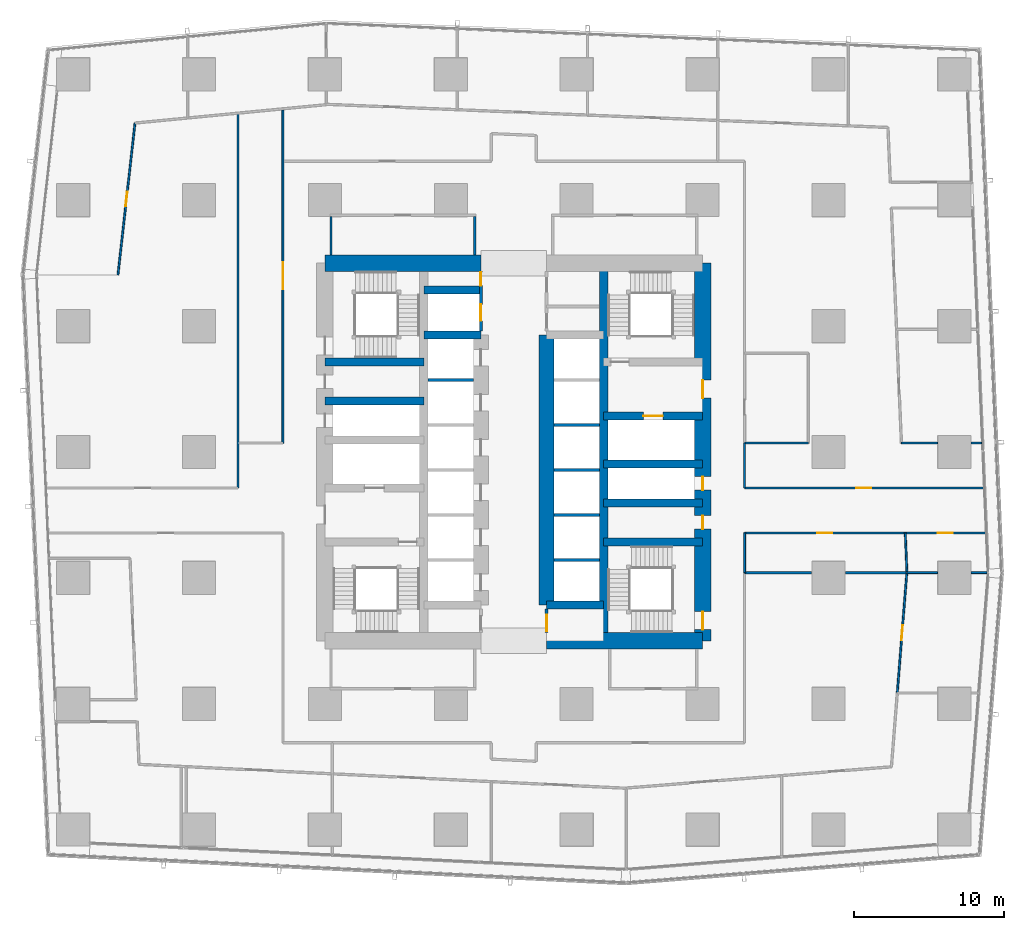
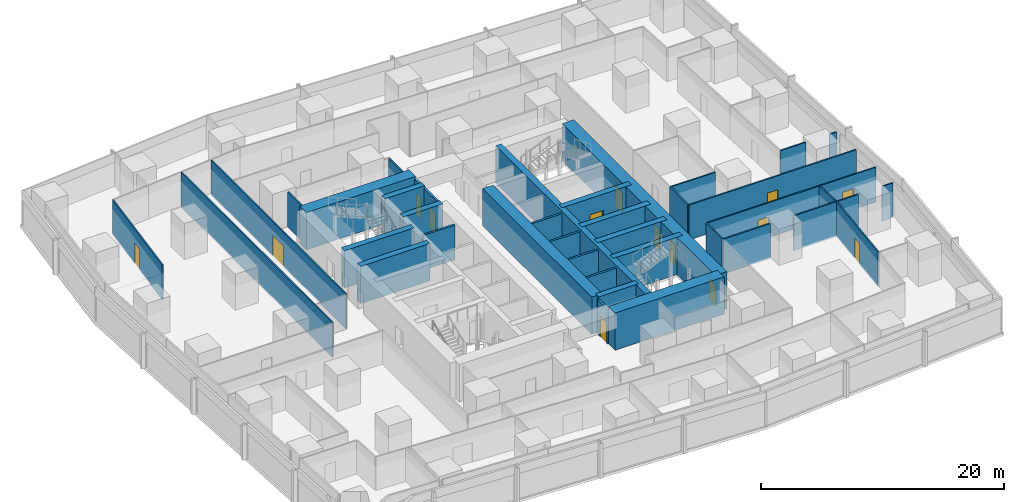
# One storey, part 33 of 44: 40 walls, 14 doors, 14 openings.
"""IFC4 building model written with IfcOpenShell, lengths in metres."""

from ifc_helpers import new_model, si_unit, direction, frame, frame_2d, origin, place, context, subcontext, project, spatial, rectangle, extrude, material, layer, layer_set, type_object, element, fill, save


model = new_model("IFC4")

# Units and contexts
model_context = context("Model", 3, precision=1e-05, world=origin(), true_north=direction((0.0, 1.0)))
body_context = subcontext(model_context, "Body", "Model", "MODEL_VIEW")
ifc_project = project(units=[si_unit("LENGTHUNIT", "METRE"), si_unit("AREAUNIT", "SQUARE_METRE"), si_unit("VOLUMEUNIT", "CUBIC_METRE"), si_unit("PLANEANGLEUNIT", "RADIAN"), si_unit("MASSUNIT", "GRAM", prefix="KILO")], contexts=[model_context])

# Site, building, storey
site_placement = place(None, origin())
site = spatial("IfcSite", under=ifc_project, at=site_placement, CompositionType="ELEMENT")
building_placement = place(site_placement, origin())
building = spatial("IfcBuilding", under=site, at=building_placement, Name="Rekha Terrace Tower", CompositionType="ELEMENT")
storey_placement = place(building_placement, frame((0.0, 0.0, 74.14990234375)))
storey = spatial("IfcBuildingStorey", under=building, at=storey_placement, Name="L18", CompositionType="ELEMENT", Elevation=74.14990234375)

# Walls
ifc_material_1 = material(Name="Concrete M70", Category="concrete")
ifc_layer_1 = layer(ifc_material_1, 0.550048828125)
ifc_layer_set_1 = layer_set([ifc_layer_1], Name="Concrete M70")
wall_type_1 = type_object("IfcWallType", Name="CI1 550 core internal shear wall", PredefinedType="SHEAR", material=ifc_layer_set_1)
wall_1_placement = place(storey_placement, frame((43.800048828125, 21.0, 0.0), z_axis=(0.0, 0.0, 1.0), x_axis=(0.0, 1.0, 0.0)))
element("IfcWall", 1, at=wall_1_placement, inside=storey, type_object=wall_type_1, Name="Core wall X438 L18", PredefinedType="SHEAR", context=body_context, shape_type="SweptSolid", body=[
    extrude(rectangle(XDim=25.199951171875, YDim=0.550048828125, at=frame_2d((12.60009765625, 0.0))), origin(), (0.0, 0.0, 1.0), 3.75),
])
for number, where, z_axis, x_axis, name in (
    (2, (31.800048828125, 41.39990234375, 0.0), (0.0, 0.0, 1.0), (1.0, 0.0, 0.0), "Core wall Y414W L18"),
    (3, (31.800048828125, 44.39990234375, 0.0), (0.0, 0.0, 1.0), (1.0, 0.0, 0.0), "Core wall Y444W L18"),
    (4, (40.0, 23.39990234375, 0.0), (0.0, 0.0, 1.0), (1.0, 0.0, 0.0), "Core wall Y234E L18"),
):
    element("IfcWall", number, at=place(storey_placement, frame(where, z_axis=z_axis, x_axis=x_axis)), inside=storey, type_object=wall_type_1, Name=name, PredefinedType="SHEAR", context=body_context, shape_type="SweptSolid", body=[
        extrude(rectangle(XDim=3.800048828125, YDim=0.550048828125, at=frame_2d((1.89990234375, 0.0))), origin(), (0.0, 0.0, 1.0), 3.75),
    ])
for number, where, z_axis, x_axis, name in (
    (5, (25.199951171875, 37.0, 0.0), (0.0, 0.0, 1.0), (1.0, 0.0, 0.0), "Core wall Y370W L18"),
    (6, (25.199951171875, 39.60009765625, 0.0), (0.0, 0.0, 1.0), (1.0, 0.0, 0.0), "Core wall Y396W L18"),
):
    element("IfcWall", number, at=place(storey_placement, frame(where, z_axis=z_axis, x_axis=x_axis)), inside=storey, type_object=wall_type_1, Name=name, PredefinedType="SHEAR", context=body_context, shape_type="SweptSolid", body=[
        extrude(rectangle(XDim=6.60009765625, YDim=0.550048828125, at=frame_2d((3.300048828125, 0.0))), origin(), (0.0, 0.0, 1.0), 3.75),
    ])
for number, where, z_axis, x_axis, name in (
    (7, (43.800048828125, 27.60009765625, 0.0), (0.0, 0.0, 1.0), (1.0, 0.0, 0.0), "Core wall Y276E L18"),
    (8, (43.800048828125, 30.199951171875, 0.0), (0.0, 0.0, 1.0), (1.0, 0.0, 0.0), "Core wall Y302E L18"),
    (9, (43.800048828125, 32.800048828125, 0.0), (0.0, 0.0, 1.0), (1.0, 0.0, 0.0), "Core wall Y328E L18"),
):
    element("IfcWall", number, at=place(storey_placement, frame(where, z_axis=z_axis, x_axis=x_axis)), inside=storey, type_object=wall_type_1, Name=name, PredefinedType="SHEAR", context=body_context, shape_type="SweptSolid", body=[
        extrude(rectangle(XDim=6.599853515625, YDim=0.550048828125, at=frame_2d((3.2998046875, 0.0))), origin(), (0.0, 0.0, 1.0), 3.75),
    ])

# Wall, opening, door
wall_2_placement = place(storey_placement, frame((43.800048828125, 36.0, 0.0), z_axis=(0.0, 0.0, 1.0), x_axis=(1.0, 0.0, 0.0)))
wall_2 = element("IfcWall", 10, at=wall_2_placement, inside=storey, type_object=wall_type_1, Name="Core wall Y360E L18", PredefinedType="SHEAR", context=body_context, shape_type="SweptSolid", body=[
    extrude(rectangle(XDim=6.599853515625, YDim=0.550048828125, at=frame_2d((3.2998046875, 0.0))), origin(), (0.0, 0.0, 1.0), 3.75),
])
opening_1_placement = place(wall_2_placement, frame((2.64990234375, 0.0, 0.0)))
opening_1 = element("IfcOpeningElement", 11, at=opening_1_placement, cuts=wall_2, Name="Opening LD2", PredefinedType="OPENING", context=body_context, shape_type="SweptSolid", body=[
    extrude(rectangle(XDim=1.300048828125, YDim=2.10009765625, at=frame_2d((0.64990234375, 1.050048828125))), frame((0.0, 0.284912109375, 0.0), z_axis=(0.0, -1.0, 0.0), x_axis=(1.0, 0.0, 0.0)), (0.0, 0.0, 1.0), 0.570068359375),
])
ifc_material_2 = material(Name="Stainless steel sliding landing door", Category="steel")
door_type_1 = type_object("IfcDoorType", Name="LD2 1300x2100 fire lift landing door", OperationType="SLIDING_TO_LEFT", PredefinedType="USERDEFINED", material=ifc_material_2)
door_1_placement = place(opening_1_placement, origin())
door_1 = element("IfcDoor", 12, at=door_1_placement, inside=storey, type_object=door_type_1, Name="Lift FL2 landing door L18", ObjectType="LIFT LANDING DOOR", OperationType="SLIDING_TO_LEFT", OverallHeight=2.10009765625, OverallWidth=1.300048828125, PredefinedType="USERDEFINED", context=body_context, shape_type="SweptSolid", body=[
    extrude(rectangle(XDim=1.300048828125, YDim=2.10009765625, at=frame_2d((0.64990234375, 1.050048828125))), frame((0.0, 0.02490234375, 0.0), z_axis=(0.0, -1.0, 0.0), x_axis=(1.0, 0.0, 0.0)), (0.0, 0.0, 1.0), 0.050048828125),
])
fill(opening_1, door_1)

# Walls
ifc_layer_2 = layer(ifc_material_1, 1.0)
ifc_layer_set_2 = layer_set([ifc_layer_2], Name="Concrete M70")
wall_type_2 = type_object("IfcWallType", Name="LW1 1000 core lobby wall at an outrigger level", PredefinedType="SHEAR", material=ifc_layer_set_2)
wall_3_placement = place(storey_placement, frame((40.0, 23.39990234375, 0.0), z_axis=(0.0, 0.0, 1.0), x_axis=(0.0, 1.0, 0.0)))
element("IfcWall", 13, at=wall_3_placement, inside=storey, type_object=wall_type_2, Name="Core wall X400 L18", PredefinedType="SHEAR", context=body_context, shape_type="SweptSolid", body=[
    extrude(rectangle(XDim=18.0, YDim=1.0, at=frame_2d((9.0, 0.0))), origin(), (0.0, 0.0, 1.0), 3.75),
])
ifc_layer_3 = layer(ifc_material_1, 1.10009765625)
ifc_layer_set_3 = layer_set([ifc_layer_3], Name="Concrete M70")
wall_type_3 = type_object("IfcWallType", Name="SW1 1100 core outer shear wall", PredefinedType="SHEAR", material=ifc_layer_set_3)
wall_4_placement = place(storey_placement, frame((40.0, 21.0, 0.0), z_axis=(0.0, 0.0, 1.0), x_axis=(1.0, 0.0, 0.0)))
element("IfcWall", 14, at=wall_4_placement, inside=storey, type_object=wall_type_3, Name="Core wall S2 L18", PredefinedType="SHEAR", context=body_context, shape_type="SweptSolid", body=[
    extrude(rectangle(XDim=10.39990234375, YDim=1.10009765625, at=frame_2d((5.199951171875, 0.0))), origin(), (0.0, 0.0, 1.0), 3.75),
])
wall_5_placement = place(storey_placement, frame((25.199951171875, 46.199951171875, 0.0), z_axis=(0.0, 0.0, 1.0), x_axis=(1.0, 0.0, 0.0)))
element("IfcWall", 15, at=wall_5_placement, inside=storey, type_object=wall_type_3, Name="Core wall N1 L18", PredefinedType="SHEAR", context=body_context, shape_type="SweptSolid", body=[
    extrude(rectangle(XDim=10.400146484375, YDim=1.10009765625, at=frame_2d((5.2001953125, 0.0))), origin(), (0.0, 0.0, 1.0), 3.75),
])

# Wall, openings, doors
wall_6_placement = place(storey_placement, frame((50.39990234375, 21.0, 0.0), z_axis=(0.0, 0.0, 1.0), x_axis=(0.0, 1.0, 0.0)))
wall_6 = element("IfcWall", 16, at=wall_6_placement, inside=storey, type_object=wall_type_3, Name="Core wall E L18", PredefinedType="SHEAR", context=body_context, shape_type="SweptSolid", body=[
    extrude(rectangle(XDim=25.199951171875, YDim=1.10009765625, at=frame_2d((12.60009765625, 0.0))), origin(), (0.0, 0.0, 1.0), 3.75),
])
opening_2_placement = place(wall_6_placement, frame((16.199951171875, 0.0, 0.0)))
opening_2 = element("IfcOpeningElement", 17, at=opening_2_placement, cuts=wall_6, Name="Opening D2", PredefinedType="OPENING", context=body_context, shape_type="SweptSolid", body=[
    extrude(rectangle(XDim=1.199951171875, YDim=2.10009765625, at=frame_2d((0.60009765625, 1.050048828125))), frame((0.0, 0.56005859375, 0.0), z_axis=(0.0, -1.0, 0.0), x_axis=(1.0, 0.0, 0.0)), (0.0, 0.0, 1.0), 1.1201171875),
])
opening_3_placement = place(wall_6_placement, frame((10.050048828125, 0.0, 0.0)))
opening_3 = element("IfcOpeningElement", 18, at=opening_3_placement, cuts=wall_6, Name="Opening D5", PredefinedType="OPENING", context=body_context, shape_type="SweptSolid", body=[
    extrude(rectangle(XDim=0.89990234375, YDim=2.10009765625, at=frame_2d((0.449951171875, 1.050048828125))), frame((0.0, 0.56005859375, 0.0), z_axis=(0.0, -1.0, 0.0), x_axis=(1.0, 0.0, 0.0)), (0.0, 0.0, 1.0), 1.1201171875),
])
opening_4_placement = place(wall_6_placement, frame((7.449951171875, 0.0, 0.0)))
opening_4 = element("IfcOpeningElement", 19, at=opening_4_placement, cuts=wall_6, Name="Opening D5", PredefinedType="OPENING", context=body_context, shape_type="SweptSolid", body=[
    extrude(rectangle(XDim=0.89990234375, YDim=2.10009765625, at=frame_2d((0.449951171875, 1.050048828125))), frame((0.0, 0.56005859375, 0.0), z_axis=(0.0, -1.0, 0.0), x_axis=(1.0, 0.0, 0.0)), (0.0, 0.0, 1.0), 1.1201171875),
])
opening_5_placement = place(wall_6_placement, frame((0.75, 0.0, 0.0)))
opening_5 = element("IfcOpeningElement", 20, at=opening_5_placement, cuts=wall_6, Name="Opening D1", PredefinedType="OPENING", context=body_context, shape_type="SweptSolid", body=[
    extrude(rectangle(XDim=1.199951171875, YDim=2.10009765625, at=frame_2d((0.60009765625, 1.050048828125))), frame((0.0, 0.56005859375, 0.0), z_axis=(0.0, -1.0, 0.0), x_axis=(1.0, 0.0, 0.0)), (0.0, 0.0, 1.0), 1.1201171875),
])
ifc_material_3 = material(Name="Steel fire door", Category="steel")
door_type_2 = type_object("IfcDoorType", Name="D1 1200x2100 stair fire door", OperationType="SINGLE_SWING_RIGHT", PredefinedType="DOOR", material=ifc_material_3)
door_2_placement = place(opening_5_placement, origin())
door_2 = element("IfcDoor", 21, at=door_2_placement, inside=storey, type_object=door_type_2, Name="Stair ST3 door L18", OperationType="SINGLE_SWING_RIGHT", OverallHeight=2.10009765625, OverallWidth=1.199951171875, PredefinedType="DOOR", context=body_context, shape_type="SweptSolid", body=[
    extrude(rectangle(XDim=1.199951171875, YDim=2.10009765625, at=frame_2d((0.60009765625, 1.050048828125))), frame((0.0, 0.02490234375, 0.0), z_axis=(0.0, -1.0, 0.0), x_axis=(1.0, 0.0, 0.0)), (0.0, 0.0, 1.0), 0.050048828125),
])
fill(opening_5, door_2)
door_type_3 = type_object("IfcDoorType", Name="D2 1200x2100 firefighting lobby door", OperationType="SINGLE_SWING_LEFT", PredefinedType="DOOR", material=ifc_material_3)
door_3_placement = place(opening_2_placement, origin())
door_3 = element("IfcDoor", 22, at=door_3_placement, inside=storey, type_object=door_type_3, Name="Door flb2 L18", OperationType="SINGLE_SWING_LEFT", OverallHeight=2.10009765625, OverallWidth=1.199951171875, PredefinedType="DOOR", context=body_context, shape_type="SweptSolid", body=[
    extrude(rectangle(XDim=1.199951171875, YDim=2.10009765625, at=frame_2d((0.60009765625, 1.050048828125))), frame((0.0, 0.02490234375, 0.0), z_axis=(0.0, -1.0, 0.0), x_axis=(1.0, 0.0, 0.0)), (0.0, 0.0, 1.0), 0.050048828125),
])
fill(opening_2, door_3)
door_type_4 = type_object("IfcDoorType", Name="D5 900x2100 riser access door", OperationType="SINGLE_SWING_LEFT", PredefinedType="DOOR", material=ifc_material_3)
door_4_placement = place(opening_3_placement, origin())
door_4 = element("IfcDoor", 23, at=door_4_placement, inside=storey, type_object=door_type_4, Name="Door rs2 L18", OperationType="SINGLE_SWING_LEFT", OverallHeight=2.10009765625, OverallWidth=0.89990234375, PredefinedType="DOOR", context=body_context, shape_type="SweptSolid", body=[
    extrude(rectangle(XDim=0.89990234375, YDim=2.10009765625, at=frame_2d((0.449951171875, 1.050048828125))), frame((0.0, 0.02490234375, 0.0), z_axis=(0.0, -1.0, 0.0), x_axis=(1.0, 0.0, 0.0)), (0.0, 0.0, 1.0), 0.050048828125),
])
fill(opening_3, door_4)
door_5_placement = place(opening_4_placement, origin())
door_5 = element("IfcDoor", 24, at=door_5_placement, inside=storey, type_object=door_type_4, Name="Door ele L18", OperationType="SINGLE_SWING_LEFT", OverallHeight=2.10009765625, OverallWidth=0.89990234375, PredefinedType="DOOR", context=body_context, shape_type="SweptSolid", body=[
    extrude(rectangle(XDim=0.89990234375, YDim=2.10009765625, at=frame_2d((0.449951171875, 1.050048828125))), frame((0.0, 0.02490234375, 0.0), z_axis=(0.0, -1.0, 0.0), x_axis=(1.0, 0.0, 0.0)), (0.0, 0.0, 1.0), 0.050048828125),
])
fill(opening_4, door_5)

# Walls
ifc_material_4 = material(Name="Concrete block masonry, 1 hour", Category="masonry")
ifc_layer_4 = layer(ifc_material_4, 0.14990234375)
ifc_layer_set_4 = layer_set([ifc_layer_4], Name="Concrete block masonry, 1 hour")
wall_type_4 = type_object("IfcWallType", Name="WP2 150 tenancy partition", PredefinedType="PARTITIONING", material=ifc_layer_set_4)
for number, where, z_axis, x_axis, name in (
    (25, (25.60009765625, 46.75, 0.0), (0.0, 0.0, 1.0), (0.0, 1.0, 0.0), "Women's WC wall L18"),
    (26, (35.199951171875, 46.75, 0.0), (0.0, 0.0, 1.0), (0.0, 1.0, 0.0), "Women's WC wall L18"),
):
    element("IfcWall", number, at=place(storey_placement, frame(where, z_axis=z_axis, x_axis=x_axis)), inside=storey, type_object=wall_type_4, Name=name, PredefinedType="PARTITIONING", context=body_context, shape_type="SweptSolid", body=[
        extrude(rectangle(XDim=2.574951171875, YDim=0.14990234375, at=frame_2d((1.28759765625, 0.0))), origin(), (0.0, 0.0, 1.0), 3.5),
    ])
wall_7_placement = place(storey_placement, frame((53.199951171875, 25.552001953125, 0.0), z_axis=(0.0, 0.0, 1.0), x_axis=(1.0, 0.0, 0.0)))
element("IfcWall", 27, at=wall_7_placement, inside=storey, type_object=wall_type_4, Name="Partition L18-O1", PredefinedType="PARTITIONING", context=body_context, shape_type="SweptSolid", body=[
    extrude(rectangle(XDim=4.47998046875, YDim=0.14990234375, at=frame_2d((2.239990234375, 0.0))), origin(), (0.0, 0.0, 1.0), 3.5),
])
wall_8_placement = place(storey_placement, frame((59.919921875, 25.552001953125, 0.0), z_axis=(0.0, 0.0, 1.0), x_axis=(1.0, 0.0, 0.0)))
element("IfcWall", 28, at=wall_8_placement, inside=storey, type_object=wall_type_4, Name="Partition L18-O1", PredefinedType="PARTITIONING", context=body_context, shape_type="SweptSolid", body=[
    extrude(rectangle(XDim=4.041015625, YDim=0.14990234375, at=frame_2d((2.0205078125, 0.0))), origin(), (0.0, 0.0, 1.0), 3.5),
])

# Wall, opening, door
wall_9_placement = place(storey_placement, frame((69.14501953125, 31.199951171875, 0.0), z_axis=(0.0, 0.0, 1.0), x_axis=(-1.0, 0.0, 0.0)))
wall_9 = element("IfcWall", 29, at=wall_9_placement, inside=storey, type_object=wall_type_4, Name="Partition L18-O2", PredefinedType="PARTITIONING", context=body_context, shape_type="SweptSolid", body=[
    extrude(rectangle(XDim=15.945068359375, YDim=0.14990234375, at=frame_2d((7.97265625, 0.0))), origin(), (0.0, 0.0, 1.0), 3.5),
])
opening_6_placement = place(wall_9_placement, frame((7.487060546875, 0.0, 0.0)))
opening_6 = element("IfcOpeningElement", 30, at=opening_6_placement, cuts=wall_9, Name="Opening D9", PredefinedType="OPENING", context=body_context, shape_type="SweptSolid", body=[
    extrude(rectangle(XDim=1.0, YDim=2.10009765625, at=frame_2d((0.5, 1.050048828125))), frame((0.0, 0.0849609375, 0.0), z_axis=(0.0, -1.0, 0.0), x_axis=(1.0, 0.0, 0.0)), (0.0, 0.0, 1.0), 0.169921875),
])
ifc_material_5 = material(Name="Timber fire door", Category="wood")
door_type_5 = type_object("IfcDoorType", Name="D9 1000x2100 office door", OperationType="SINGLE_SWING_LEFT", PredefinedType="DOOR", material=ifc_material_5)
door_6_placement = place(opening_6_placement, origin())
door_6 = element("IfcDoor", 31, at=door_6_placement, inside=storey, type_object=door_type_5, Name="Door open-plan office L18", OperationType="SINGLE_SWING_LEFT", OverallHeight=2.10009765625, OverallWidth=1.0, PredefinedType="DOOR", context=body_context, shape_type="SweptSolid", body=[
    extrude(rectangle(XDim=1.0, YDim=2.10009765625, at=frame_2d((0.5, 1.050048828125))), frame((0.0, 0.02490234375, 0.0), z_axis=(0.0, -1.0, 0.0), x_axis=(1.0, 0.0, 0.0)), (0.0, 0.0, 1.0), 0.050048828125),
])
fill(opening_6, door_6)

# Wall
wall_10_placement = place(storey_placement, frame((53.199951171875, 31.199951171875, 0.0), z_axis=(0.0, 0.0, 1.0), x_axis=(0.0, 1.0, 0.0)))
element("IfcWall", 32, at=wall_10_placement, inside=storey, type_object=wall_type_4, Name="Partition L18-O2", PredefinedType="PARTITIONING", context=body_context, shape_type="SweptSolid", body=[
    extrude(rectangle(XDim=3.0, YDim=0.14990234375, at=frame_2d((1.5, 0.0))), origin(), (0.0, 0.0, 1.0), 3.5),
])

# Wall, opening, door
ifc_material_6 = material(Name="Two layers of fire-rated gypsum board each side on steel studs, acoustic quilt, 1 hour", Category="steel")
ifc_layer_5 = layer(ifc_material_6, 0.125)
ifc_layer_set_5 = layer_set([ifc_layer_5], Name="Two layers of fire-rated gypsum board each side on steel studs, acoustic quilt, 1 hour")
wall_type_5 = type_object("IfcWallType", Name="WP3 125 office partition", PredefinedType="PARTITIONING", material=ifc_layer_set_5)
wall_11_placement = place(storey_placement, frame((63.386962890625, 17.52392578125, 0.0), z_axis=(0.0, 0.0, 1.0), x_axis=(0.079102910118, 0.996866455254, 0.0)))
wall_11 = element("IfcWall", 33, at=wall_11_placement, inside=storey, type_object=wall_type_5, Name="Partition L18-05", PredefinedType="PARTITIONING", context=body_context, shape_type="SweptSolid", body=[
    extrude(rectangle(XDim=8.05224609375, YDim=0.125, at=frame_2d((4.026123046875, 0.0))), origin(), (0.0, 0.0, 1.0), 3.5),
])
opening_7_placement = place(wall_11_placement, frame((3.52587890625, 0.0, 0.0)))
opening_7 = element("IfcOpeningElement", 34, at=opening_7_placement, cuts=wall_11, Name="Opening D9", PredefinedType="OPENING", context=body_context, shape_type="SweptSolid", body=[
    extrude(rectangle(XDim=1.0, YDim=2.10009765625, at=frame_2d((0.5, 1.050048828125))), frame((0.0, 0.072509765625, 0.0), z_axis=(0.0, -1.0, 0.0), x_axis=(1.0, 0.0, 0.0)), (0.0, 0.0, 1.0), 0.14501953125),
])
door_7_placement = place(opening_7_placement, origin())
door_7 = element("IfcDoor", 35, at=door_7_placement, inside=storey, type_object=door_type_5, Name="Door office L18", OperationType="SINGLE_SWING_LEFT", OverallHeight=2.10009765625, OverallWidth=1.0, PredefinedType="DOOR", context=body_context, shape_type="SweptSolid", body=[
    extrude(rectangle(XDim=1.0, YDim=2.10009765625, at=frame_2d((0.5, 1.050048828125))), frame((0.0, 0.02490234375, 0.0), z_axis=(0.0, -1.0, 0.0), x_axis=(1.0, 0.0, 0.0)), (0.0, 0.0, 1.0), 0.050048828125),
])
fill(opening_7, door_7)

# Walls
wall_12_placement = place(storey_placement, frame((64.02392578125, 25.551025390625, 0.0), z_axis=(0.0, 0.0, 1.0), x_axis=(1.0, 0.0, 0.0)))
element("IfcWall", 36, at=wall_12_placement, inside=storey, type_object=wall_type_5, Name="Partition L18-05", PredefinedType="PARTITIONING", context=body_context, shape_type="SweptSolid", body=[
    extrude(rectangle(XDim=2.05615234375, YDim=0.125, at=frame_2d((1.028076171875, 0.0))), origin(), (0.0, 0.0, 1.0), 3.5),
])
wall_13_placement = place(storey_placement, frame((68.320068359375, 25.551025390625, 0.0), z_axis=(0.0, 0.0, 1.0), x_axis=(1.0, 0.0, 0.0)))
element("IfcWall", 37, at=wall_13_placement, inside=storey, type_object=wall_type_5, Name="Partition L18-05", PredefinedType="PARTITIONING", context=body_context, shape_type="SweptSolid", body=[
    extrude(rectangle(XDim=1.036865234375, YDim=0.125, at=frame_2d((0.5185546875, 0.0))), origin(), (0.0, 0.0, 1.0), 3.5),
])
wall_14_placement = place(storey_placement, frame((69.01708984375, 34.201904296875, 0.0), z_axis=(0.0, 0.0, 1.0), x_axis=(-1.0, 0.0, 0.0)))
element("IfcWall", 38, at=wall_14_placement, inside=storey, type_object=wall_type_5, Name="Partition L18-07", PredefinedType="PARTITIONING", context=body_context, shape_type="SweptSolid", body=[
    extrude(rectangle(XDim=0.697021484375, YDim=0.125, at=frame_2d((0.3486328125, 0.0))), origin(), (0.0, 0.0, 1.0), 3.5),
])
wall_15_placement = place(storey_placement, frame((66.080078125, 34.201904296875, 0.0), z_axis=(0.0, 0.0, 1.0), x_axis=(-1.0, 0.0, 0.0)))
element("IfcWall", 39, at=wall_15_placement, inside=storey, type_object=wall_type_5, Name="Partition L18-07", PredefinedType="PARTITIONING", context=body_context, shape_type="SweptSolid", body=[
    extrude(rectangle(XDim=2.41796875, YDim=0.125, at=frame_2d((1.208984375, 0.0))), origin(), (0.0, 0.0, 1.0), 3.5),
])
wall_16_placement = place(storey_placement, frame((57.449951171875, 34.199951171875, 0.0), z_axis=(0.0, 0.0, 1.0), x_axis=(-1.0, 0.0, 0.0)))
element("IfcWall", 40, at=wall_16_placement, inside=storey, type_object=wall_type_5, Name="Partition L18-11", PredefinedType="PARTITIONING", context=body_context, shape_type="SweptSolid", body=[
    extrude(rectangle(XDim=4.25, YDim=0.125, at=frame_2d((2.125, 0.0))), origin(), (0.0, 0.0, 1.0), 3.5),
])

# Wall, opening, door
wall_17_placement = place(storey_placement, frame((12.531982421875, 55.544921875, 0.0), z_axis=(0.0, 0.0, 1.0), x_axis=(-0.111695467503, -0.99374248301, 0.0)))
wall_17 = element("IfcWall", 41, at=wall_17_placement, inside=storey, type_object=wall_type_5, Name="Partition L18-16", PredefinedType="PARTITIONING", context=body_context, shape_type="SweptSolid", body=[
    extrude(rectangle(XDim=10.196533203125, YDim=0.125, at=frame_2d((5.09814453125, 0.0))), origin(), (0.0, 0.0, 1.0), 3.5),
])
opening_8_placement = place(wall_17_placement, frame((4.597900390625, 0.0, 0.0)))
opening_8 = element("IfcOpeningElement", 42, at=opening_8_placement, cuts=wall_17, Name="Opening D9", PredefinedType="OPENING", context=body_context, shape_type="SweptSolid", body=[
    extrude(rectangle(XDim=1.0, YDim=2.10009765625, at=frame_2d((0.5, 1.050048828125))), frame((0.0, 0.072509765625, 0.0), z_axis=(0.0, -1.0, 0.0), x_axis=(1.0, 0.0, 0.0)), (0.0, 0.0, 1.0), 0.14501953125),
])
door_8_placement = place(opening_8_placement, origin())
door_8 = element("IfcDoor", 43, at=door_8_placement, inside=storey, type_object=door_type_5, Name="Door director's office L18", OperationType="SINGLE_SWING_LEFT", OverallHeight=2.10009765625, OverallWidth=1.0, PredefinedType="DOOR", context=body_context, shape_type="SweptSolid", body=[
    extrude(rectangle(XDim=1.0, YDim=2.10009765625, at=frame_2d((0.5, 1.050048828125))), frame((0.0, 0.02490234375, 0.0), z_axis=(0.0, -1.0, 0.0), x_axis=(1.0, 0.0, 0.0)), (0.0, 0.0, 1.0), 0.050048828125),
])
fill(opening_8, door_8)

# Wall
wall_18_placement = place(storey_placement, frame((19.39990234375, 56.14306640625, 0.0), z_axis=(0.0, 0.0, 1.0), x_axis=(0.0, -1.0, 0.0)))
element("IfcWall", 44, at=wall_18_placement, inside=storey, type_object=wall_type_5, Name="Partition L18-18", PredefinedType="PARTITIONING", context=body_context, shape_type="SweptSolid", body=[
    extrude(rectangle(XDim=24.943115234375, YDim=0.125, at=frame_2d((12.4716796875, 0.0))), origin(), (0.0, 0.0, 1.0), 3.5),
])

# Wall, opening, door
wall_19_placement = place(storey_placement, frame((22.39990234375, 56.430908203125, 0.0), z_axis=(0.0, 0.0, 1.0), x_axis=(0.0, -1.0, 0.0)))
wall_19 = element("IfcWall", 45, at=wall_19_placement, inside=storey, type_object=wall_type_5, Name="Partition L18-19", PredefinedType="PARTITIONING", context=body_context, shape_type="SweptSolid", body=[
    extrude(rectangle(XDim=22.23095703125, YDim=0.125, at=frame_2d((11.115478515625, 0.0))), origin(), (0.0, 0.0, 1.0), 3.5),
])
opening_9_placement = place(wall_19_placement, frame((10.18408203125, 0.0, 0.0)))
opening_9 = element("IfcOpeningElement", 46, at=opening_9_placement, cuts=wall_19, Name="Opening D8", PredefinedType="OPENING", context=body_context, shape_type="SweptSolid", body=[
    extrude(rectangle(XDim=1.800048828125, YDim=2.10009765625, at=frame_2d((0.89990234375, 1.050048828125))), frame((0.0, 0.072509765625, 0.0), z_axis=(0.0, -1.0, 0.0), x_axis=(1.0, 0.0, 0.0)), (0.0, 0.0, 1.0), 0.14501953125),
])
door_type_6 = type_object("IfcDoorType", Name="D8 1800x2100 double leaf door", OperationType="DOUBLE_DOOR_SINGLE_SWING", PredefinedType="DOOR", material=ifc_material_5)
door_9_placement = place(opening_9_placement, origin())
door_9 = element("IfcDoor", 47, at=door_9_placement, inside=storey, type_object=door_type_6, Name="Door breakout lounge L18", OperationType="DOUBLE_DOOR_SINGLE_SWING", OverallHeight=2.10009765625, OverallWidth=1.800048828125, PredefinedType="DOOR", context=body_context, shape_type="SweptSolid", body=[
    extrude(rectangle(XDim=1.800048828125, YDim=2.10009765625, at=frame_2d((0.89990234375, 1.050048828125))), frame((0.0, 0.02490234375, 0.0), z_axis=(0.0, -1.0, 0.0), x_axis=(1.0, 0.0, 0.0)), (0.0, 0.0, 1.0), 0.050048828125),
])
fill(opening_9, door_9)

wall_20_placement = place(storey_placement, frame((63.9189453125, 28.199951171875, 0.0), z_axis=(0.0, 0.0, 1.0), x_axis=(1.0, 0.0, 0.0)))
wall_20 = element("IfcWall", 48, at=wall_20_placement, inside=storey, type_object=wall_type_5, Name="Partition L18-23", PredefinedType="PARTITIONING", context=body_context, shape_type="SweptSolid", body=[
    extrude(rectangle(XDim=5.35498046875, YDim=0.125, at=frame_2d((2.677490234375, 0.0))), origin(), (0.0, 0.0, 1.0), 3.5),
])
opening_10_placement = place(wall_20_placement, frame((2.162109375, 0.0, 0.0)))
opening_10 = element("IfcOpeningElement", 49, at=opening_10_placement, cuts=wall_20, Name="Opening D9", PredefinedType="OPENING", context=body_context, shape_type="SweptSolid", body=[
    extrude(rectangle(XDim=1.0, YDim=2.10009765625, at=frame_2d((0.5, 1.050048828125))), frame((0.0, 0.072509765625, 0.0), z_axis=(0.0, -1.0, 0.0), x_axis=(1.0, 0.0, 0.0)), (0.0, 0.0, 1.0), 0.14501953125),
])
door_10_placement = place(opening_10_placement, origin())
door_10 = element("IfcDoor", 50, at=door_10_placement, inside=storey, type_object=door_type_5, Name="Door meeting room L18", OperationType="SINGLE_SWING_LEFT", OverallHeight=2.10009765625, OverallWidth=1.0, PredefinedType="DOOR", context=body_context, shape_type="SweptSolid", body=[
    extrude(rectangle(XDim=1.0, YDim=2.10009765625, at=frame_2d((0.5, 1.050048828125))), frame((0.0, 0.02490234375, 0.0), z_axis=(0.0, -1.0, 0.0), x_axis=(1.0, 0.0, 0.0)), (0.0, 0.0, 1.0), 0.050048828125),
])
fill(opening_10, door_10)

# Walls
wall_21_placement = place(storey_placement, frame((64.029052734375, 25.613037109375, 0.0), z_axis=(0.0, 0.0, 1.0), x_axis=(-0.042524729329, 0.99909541456, 0.0)))
element("IfcWall", 51, at=wall_21_placement, inside=storey, type_object=wall_type_5, Name="Partition L18-23", PredefinedType="PARTITIONING", context=body_context, shape_type="SweptSolid", body=[
    extrude(rectangle(XDim=2.58935546875, YDim=0.125, at=frame_2d((1.294677734375, 0.0))), origin(), (0.0, 0.0, 1.0), 3.5),
])
wall_22_placement = place(storey_placement, frame((53.199951171875, 25.552001953125, 0.0), z_axis=(0.0, 0.0, 1.0), x_axis=(0.0, 1.0, 0.0)))
element("IfcWall", 52, at=wall_22_placement, inside=storey, type_object=wall_type_5, Name="Partition L18-24", PredefinedType="PARTITIONING", context=body_context, shape_type="SweptSolid", body=[
    extrude(rectangle(XDim=2.64794921875, YDim=0.125, at=frame_2d((1.323974609375, 0.0))), origin(), (0.0, 0.0, 1.0), 3.5),
])

# Wall, opening, door
wall_23_placement = place(storey_placement, frame((53.199951171875, 28.199951171875, 0.0), z_axis=(0.0, 0.0, 1.0), x_axis=(1.0, 0.0, 0.0)))
wall_23 = element("IfcWall", 53, at=wall_23_placement, inside=storey, type_object=wall_type_5, Name="Partition L18-24", PredefinedType="PARTITIONING", context=body_context, shape_type="SweptSolid", body=[
    extrude(rectangle(XDim=10.718994140625, YDim=0.125, at=frame_2d((5.359375, 0.0))), origin(), (0.0, 0.0, 1.0), 3.5),
])
opening_11_placement = place(wall_23_placement, frame((4.85888671875, 0.0, 0.0)))
opening_11 = element("IfcOpeningElement", 54, at=opening_11_placement, cuts=wall_23, Name="Opening D9", PredefinedType="OPENING", context=body_context, shape_type="SweptSolid", body=[
    extrude(rectangle(XDim=1.0, YDim=2.10009765625, at=frame_2d((0.5, 1.050048828125))), frame((0.0, 0.072509765625, 0.0), z_axis=(0.0, -1.0, 0.0), x_axis=(1.0, 0.0, 0.0)), (0.0, 0.0, 1.0), 0.14501953125),
])
door_11_placement = place(opening_11_placement, origin())
door_11 = element("IfcDoor", 55, at=door_11_placement, inside=storey, type_object=door_type_5, Name="Door pantry L18", OperationType="SINGLE_SWING_LEFT", OverallHeight=2.10009765625, OverallWidth=1.0, PredefinedType="DOOR", context=body_context, shape_type="SweptSolid", body=[
    extrude(rectangle(XDim=1.0, YDim=2.10009765625, at=frame_2d((0.5, 1.050048828125))), frame((0.0, 0.02490234375, 0.0), z_axis=(0.0, -1.0, 0.0), x_axis=(1.0, 0.0, 0.0)), (0.0, 0.0, 1.0), 0.050048828125),
])
fill(opening_11, door_11)

# Walls
ifc_material_7 = material(Name="Solid concrete block masonry, 2 hour", Category="masonry")
ifc_layer_6 = layer(ifc_material_7, 0.199951171875)
ifc_layer_set_6 = layer_set([ifc_layer_6], Name="Solid concrete block masonry, 2 hour")
wall_type_6 = type_object("IfcWallType", Name="WS1 200 stair and shaft enclosure", PredefinedType="PARTITIONING", material=ifc_layer_set_6)
wall_24_placement = place(storey_placement, frame((32.074951171875, 38.39990234375, 0.0), z_axis=(0.0, 0.0, 1.0), x_axis=(1.0, 0.0, 0.0)))
element("IfcWall", 56, at=wall_24_placement, inside=storey, type_object=wall_type_6, Name="Lift shaft divider L18", PredefinedType="PARTITIONING", context=body_context, shape_type="SweptSolid", body=[
    extrude(rectangle(XDim=3.025146484375, YDim=0.199951171875, at=frame_2d((1.5126953125, 0.0))), origin(), (0.0, 0.0, 1.0), 3.5),
])
for number, where, z_axis, x_axis, name in (
    (57, (40.5, 26.39990234375, 0.0), (0.0, 0.0, 1.0), (1.0, 0.0, 0.0), "Lift shaft divider L18"),
    (58, (40.5, 29.39990234375, 0.0), (0.0, 0.0, 1.0), (1.0, 0.0, 0.0), "Lift shaft divider L18"),
    (59, (40.5, 32.39990234375, 0.0), (0.0, 0.0, 1.0), (1.0, 0.0, 0.0), "Lift shaft divider L18"),
    (60, (40.5, 35.39990234375, 0.0), (0.0, 0.0, 1.0), (1.0, 0.0, 0.0), "Lift shaft divider L18"),
):
    element("IfcWall", number, at=place(storey_placement, frame(where, z_axis=z_axis, x_axis=x_axis)), inside=storey, type_object=wall_type_6, Name=name, PredefinedType="PARTITIONING", context=body_context, shape_type="SweptSolid", body=[
        extrude(rectangle(XDim=3.02490234375, YDim=0.199951171875, at=frame_2d((1.512451171875, 0.0))), origin(), (0.0, 0.0, 1.0), 3.5),
    ])

# Wall, opening, door
wall_25_placement = place(storey_placement, frame((40.0, 21.550048828125, 0.0), z_axis=(0.0, 0.0, 1.0), x_axis=(0.0, 1.0, 0.0)))
wall_25 = element("IfcWall", 61, at=wall_25_placement, inside=storey, type_object=wall_type_6, Name="Core partition wca L18", PredefinedType="PARTITIONING", context=body_context, shape_type="SweptSolid", body=[
    extrude(rectangle(XDim=1.574951171875, YDim=0.199951171875, at=frame_2d((0.78759765625, 0.0))), origin(), (0.0, 0.0, 1.0), 3.5),
])
opening_12_placement = place(wall_25_placement, frame((0.10009765625, 0.0, 0.0)))
opening_12 = element("IfcOpeningElement", 62, at=opening_12_placement, cuts=wall_25, Name="Opening D4", PredefinedType="OPENING", context=body_context, shape_type="SweptSolid", body=[
    extrude(rectangle(XDim=1.10009765625, YDim=2.10009765625, at=frame_2d((0.550048828125, 1.050048828125))), frame((0.0, 0.10986328125, 0.0), z_axis=(0.0, -1.0, 0.0), x_axis=(1.0, 0.0, 0.0)), (0.0, 0.0, 1.0), 0.219970703125),
])
ifc_material_8 = material(Name="Laminated timber fire door", Category="wood")
door_type_7 = type_object("IfcDoorType", Name="D4 1100x2100 accessible WC door", OperationType="SLIDING_TO_LEFT", PredefinedType="DOOR", material=ifc_material_8)
door_12_placement = place(opening_12_placement, origin())
door_12 = element("IfcDoor", 63, at=door_12_placement, inside=storey, type_object=door_type_7, Name="Door wca L18", OperationType="SLIDING_TO_LEFT", OverallHeight=2.10009765625, OverallWidth=1.10009765625, PredefinedType="DOOR", context=body_context, shape_type="SweptSolid", body=[
    extrude(rectangle(XDim=1.10009765625, YDim=2.10009765625, at=frame_2d((0.550048828125, 1.050048828125))), frame((0.0, 0.02490234375, 0.0), z_axis=(0.0, -1.0, 0.0), x_axis=(1.0, 0.0, 0.0)), (0.0, 0.0, 1.0), 0.050048828125),
])
fill(opening_12, door_12)

# Wall, openings, doors
wall_26_placement = place(storey_placement, frame((35.60009765625, 41.675048828125, 0.0), z_axis=(0.0, 0.0, 1.0), x_axis=(0.0, 1.0, 0.0)))
wall_26 = element("IfcWall", 64, at=wall_26_placement, inside=storey, type_object=wall_type_6, Name="Core partition jansv L18", PredefinedType="PARTITIONING", context=body_context, shape_type="SweptSolid", body=[
    extrude(rectangle(XDim=3.974853515625, YDim=0.199951171875, at=frame_2d((1.9873046875, 0.0))), origin(), (0.0, 0.0, 1.0), 3.5),
])
opening_13_placement = place(wall_26_placement, frame((3.02490234375, 0.0, 0.0)))
opening_13 = element("IfcOpeningElement", 65, at=opening_13_placement, cuts=wall_26, Name="Opening D5", PredefinedType="OPENING", context=body_context, shape_type="SweptSolid", body=[
    extrude(rectangle(XDim=0.89990234375, YDim=2.10009765625, at=frame_2d((0.449951171875, 1.050048828125))), frame((0.0, 0.10986328125, 0.0), z_axis=(0.0, -1.0, 0.0), x_axis=(1.0, 0.0, 0.0)), (0.0, 0.0, 1.0), 0.219970703125),
])
opening_14_placement = place(wall_26_placement, frame((0.675048828125, 0.0, 0.0)))
opening_14 = element("IfcOpeningElement", 66, at=opening_14_placement, cuts=wall_26, Name="Opening LD1", PredefinedType="OPENING", context=body_context, shape_type="SweptSolid", body=[
    extrude(rectangle(XDim=1.10009765625, YDim=2.10009765625, at=frame_2d((0.550048828125, 1.050048828125))), frame((0.0, 0.10986328125, 0.0), z_axis=(0.0, -1.0, 0.0), x_axis=(1.0, 0.0, 0.0)), (0.0, 0.0, 1.0), 0.219970703125),
])
door_13_placement = place(opening_13_placement, origin())
door_13 = element("IfcDoor", 67, at=door_13_placement, inside=storey, type_object=door_type_4, Name="Door janitor room L18", OperationType="SINGLE_SWING_LEFT", OverallHeight=2.10009765625, OverallWidth=0.89990234375, PredefinedType="DOOR", context=body_context, shape_type="SweptSolid", body=[
    extrude(rectangle(XDim=0.89990234375, YDim=2.10009765625, at=frame_2d((0.449951171875, 1.050048828125))), frame((0.0, 0.02490234375, 0.0), z_axis=(0.0, -1.0, 0.0), x_axis=(1.0, 0.0, 0.0)), (0.0, 0.0, 1.0), 0.050048828125),
])
fill(opening_13, door_13)
door_type_8 = type_object("IfcDoorType", Name="LD1 1100x2100 lift landing door", OperationType="SLIDING_TO_LEFT", PredefinedType="USERDEFINED", material=ifc_material_2)
door_14_placement = place(opening_14_placement, origin())
door_14 = element("IfcDoor", 68, at=door_14_placement, inside=storey, type_object=door_type_8, Name="Lift SV1 landing door L18", ObjectType="LIFT LANDING DOOR", OperationType="SLIDING_TO_LEFT", OverallHeight=2.10009765625, OverallWidth=1.10009765625, PredefinedType="USERDEFINED", context=body_context, shape_type="SweptSolid", body=[
    extrude(rectangle(XDim=1.10009765625, YDim=2.10009765625, at=frame_2d((0.550048828125, 1.050048828125))), frame((0.0, 0.02490234375, 0.0), z_axis=(0.0, -1.0, 0.0), x_axis=(1.0, 0.0, 0.0)), (0.0, 0.0, 1.0), 0.050048828125),
])
fill(opening_14, door_14)

save(model, "model.ifc")
